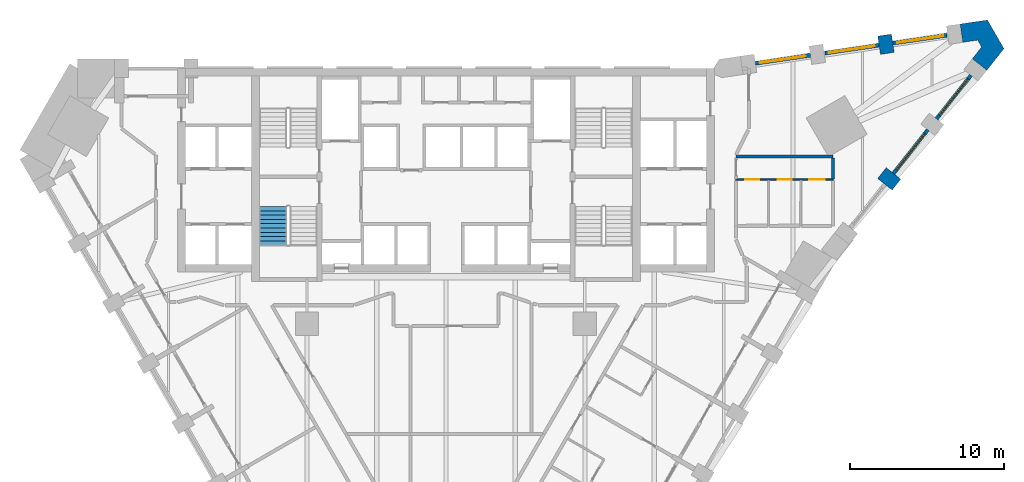
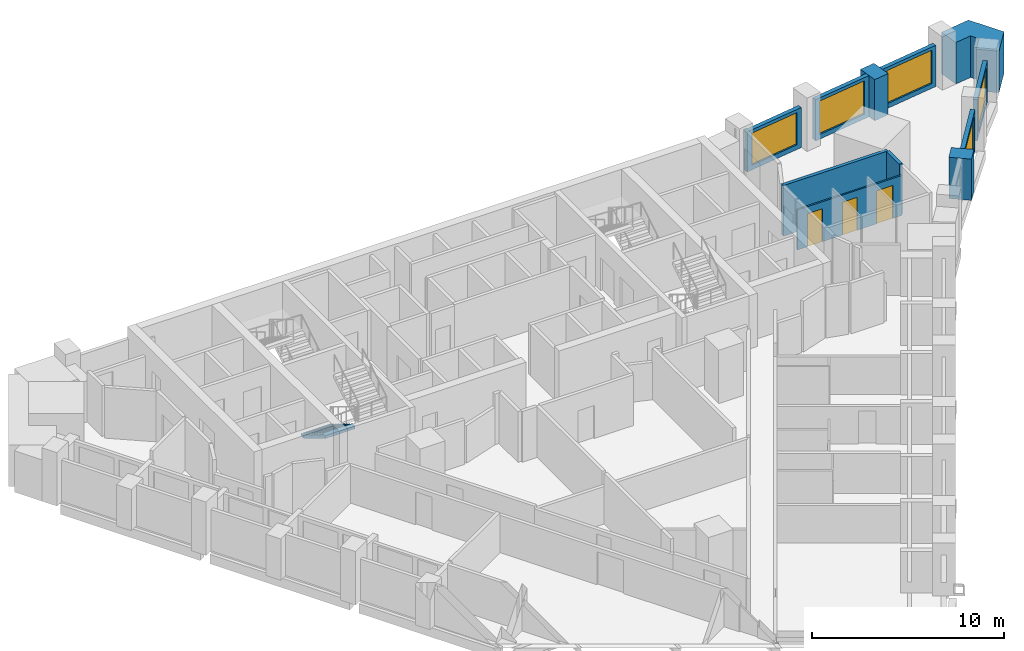
# One storey, part 9 of 11: 11 walls, 5 windows, 3 doors, 1 stair flight, 8 openings, 1 element without a shape of its own.
"""IFC4 building model written with IfcOpenShell, lengths in metres."""

import ifcopenshell
import ifcopenshell.guid

model = None  # the IFC model being written
_history = None  # IfcOwnerHistory: only IFC2X3 demands one
_inside = {}  # id of a spatial element -> (the spatial element, [elements in it])
_under = {}  # id of a project, library or spatial element -> (it, [spatial elements below it])
_declared = {}  # id of a project -> (the project, [libraries it declares])
_typed = {}  # id of a type object -> (the type object, [elements of that type])
_made_of = {}  # id of a material, layer set ... -> (it, [elements and type objects made of it])


def new_model(schema):
    """Start an empty IFC model of exactly this schema.

    Asked for "IFC4X3", IfcOpenShell would pick the latest addendum, in which some entities
    have other attributes; the version numbers below select the first issue.
    IFC2X3 requires an IfcOwnerHistory on every rooted entity: one is made here for all.
    """
    global model, _history
    if schema == "IFC4X3":
        model = ifcopenshell.file(schema_version=(4, 3, 0, 0))
    else:
        model = ifcopenshell.file(schema=schema)
    _inside.clear()
    _under.clear()
    _declared.clear()
    _typed.clear()
    _made_of.clear()
    _history = None
    if model.schema == "IFC2X3":
        org = make("IfcOrganization", Name="unknown")
        user = make(
            "IfcPersonAndOrganization",
            ThePerson=make("IfcPerson", FamilyName="unknown"),
            TheOrganization=org,
        )
        app = make(
            "IfcApplication",
            ApplicationDeveloper=org,
            Version="unknown",
            ApplicationFullName="unknown",
            ApplicationIdentifier="unknown",
        )
        _history = make(
            "IfcOwnerHistory",
            OwningUser=user,
            OwningApplication=app,
            ChangeAction="ADDED",
            CreationDate=0,
        )
    return model


def make(cls, **values):
    """One entity of the class cls with the attributes given. An attribute that is None is left unset."""
    return model.create_entity(
        cls, **{name: value for name, value in values.items() if value is not None}
    )


def rooted(cls, **values):
    """An entity with a GlobalId (a new one), such as an element, a storey or a relation."""
    return make(cls, GlobalId=ifcopenshell.guid.new(), OwnerHistory=_history, **values)


def si_unit(unit_type, name, prefix=None):
    """IfcSIUnit, for example si_unit("LENGTHUNIT", "METRE", prefix="MILLI")."""
    return make("IfcSIUnit", UnitType=unit_type, Prefix=prefix, Name=name)


def assignment(units):
    """IfcUnitAssignment: the units of a project."""
    return None if units is None else make("IfcUnitAssignment", Units=units)


def point(xyz):
    """IfcCartesianPoint."""
    return None if xyz is None else make("IfcCartesianPoint", Coordinates=xyz)


def direction(xyz):
    """IfcDirection."""
    return None if xyz is None else make("IfcDirection", DirectionRatios=xyz)


def frame(location, z_axis=None, x_axis=None):
    """IfcAxis2Placement3D, a coordinate frame: its origin and axes. An axis left out is left unset."""
    return make(
        "IfcAxis2Placement3D",
        Location=point(location),
        Axis=direction(z_axis),
        RefDirection=direction(x_axis),
    )


def frame_2d(location, x_axis=None):
    """IfcAxis2Placement2D, a coordinate frame in the plane: its origin and x axis."""
    return make(
        "IfcAxis2Placement2D", Location=point(location), RefDirection=direction(x_axis)
    )


def origin():
    """The frame at (0, 0, 0) with its axes left unset."""
    return frame((0.0, 0.0, 0.0))


def place(relative_to, where):
    """IfcLocalPlacement: puts the frame where relative to a parent placement (None: the world)."""
    return make(
        "IfcLocalPlacement", PlacementRelTo=relative_to, RelativePlacement=where
    )


def context(
    kind, dimensions, precision=None, world=None, true_north=None, identifier=None
):
    """IfcGeometricRepresentationContext, for example the 3D "Model" context."""
    return make(
        "IfcGeometricRepresentationContext",
        ContextIdentifier=identifier,
        ContextType=kind,
        CoordinateSpaceDimension=dimensions,
        Precision=precision,
        WorldCoordinateSystem=world,
        TrueNorth=true_north,
    )


def subcontext(parent, identifier, kind, view, scale=None):
    """IfcGeometricRepresentationSubContext, for example "Body" below "Model"."""
    return make(
        "IfcGeometricRepresentationSubContext",
        ContextIdentifier=identifier,
        ContextType=kind,
        ParentContext=parent,
        TargetScale=scale,
        TargetView=view,
    )


def project(units=None, contexts=None):
    """IfcProject with its units and contexts."""
    return rooted(
        "IfcProject",
        Name="project",
        RepresentationContexts=contexts,
        UnitsInContext=assignment(units),
    )


def spatial(cls, under=None, at=None, **own):
    """A site, building, storey or space (cls), placed at a placement, below another one or the project."""
    s = rooted(cls, ObjectPlacement=at, **own)
    if under is not None:
        _under.setdefault(under.id(), (under, []))[1].append(s)
    return s


def polyline(points):
    """IfcPolyline through the points."""
    return make("IfcPolyline", Points=[point(p) for p in points])


def profile(cls, at=None, kind="AREA", **sizes):
    """A parametric profile (cls). Its sizes go by their IFC names, for example OverallWidth=200.0."""
    return make(cls, ProfileType=kind, Position=at, **sizes)


def rectangle(**sizes):
    """IfcRectangleProfileDef."""
    return profile("IfcRectangleProfileDef", **sizes)


def outline(outer, holes=None, kind="AREA"):
    """IfcArbitraryClosedProfileDef: a profile drawn as a closed curve; with holes, ...WithVoids."""
    if holes is None:
        return make("IfcArbitraryClosedProfileDef", ProfileType=kind, OuterCurve=outer)
    return make(
        "IfcArbitraryProfileDefWithVoids",
        ProfileType=kind,
        OuterCurve=outer,
        InnerCurves=holes,
    )


def extrude(swept, where, along, depth):
    """IfcExtrudedAreaSolid: the profile swept, set in the frame where, extruded along a direction by depth."""
    return make(
        "IfcExtrudedAreaSolid",
        SweptArea=swept,
        Position=where,
        ExtrudedDirection=direction(along),
        Depth=depth,
    )


def faces_of(points, faces, orient=None, outer=None):
    """IfcFace entities. A face is a list of loops; a loop is a list of indices into points, from 0.

    orient and outer hold one flag for each loop. By default every Orientation is true, the
    first loop of a face is its IfcFaceOuterBound and the others are IfcFaceBound.
    """
    made = []
    for i, loops in enumerate(faces):
        bounds = []
        for j, loop in enumerate(loops):
            is_outer = j == 0 if outer is None else outer[i][j]
            bounds.append(
                make(
                    "IfcFaceOuterBound" if is_outer else "IfcFaceBound",
                    Bound=make("IfcPolyLoop", Polygon=[points[k] for k in loop]),
                    Orientation=True if orient is None else orient[i][j],
                )
            )
        made.append(make("IfcFace", Bounds=bounds))
    return made


def faceted_brep(points, faces, orient=None, outer=None, voids=None):
    """IfcFacetedBrep: a solid bounded by flat faces; with voids (closed shells), ...WithVoids."""
    shared = [point(p) for p in points]
    hull = make("IfcClosedShell", CfsFaces=faces_of(shared, faces, orient, outer))
    if voids is None:
        return make("IfcFacetedBrep", Outer=hull)
    return make(
        "IfcFacetedBrepWithVoids",
        Outer=hull,
        Voids=[
            make(cls, CfsFaces=faces_of(shared, fs, o, b)) for cls, fs, o, b in voids
        ],
    )


def shape(context_of_items, identifier, shape_type, items):
    """IfcShapeRepresentation: the items that make up one representation, for example the "Body"."""
    return make(
        "IfcShapeRepresentation",
        ContextOfItems=context_of_items,
        RepresentationIdentifier=identifier,
        RepresentationType=shape_type,
        Items=items,
    )


def source(mapping_origin, context_of_items, identifier, shape_type, items):
    """IfcRepresentationMap: a shape defined once, which mapped items show again and again."""
    return make(
        "IfcRepresentationMap",
        MappingOrigin=mapping_origin,
        MappedRepresentation=shape(context_of_items, identifier, shape_type, items),
    )


def transform(
    local_origin,
    x_axis=None,
    y_axis=None,
    z_axis=None,
    scale=None,
    scale2=None,
    scale3=None,
    uniform=True,
):
    """IfcCartesianTransformationOperator3D, or its non-uniform kind. x_axis, y_axis, z_axis: its Axis1, 2, 3."""
    if uniform:
        return make(
            "IfcCartesianTransformationOperator3D",
            Axis1=direction(x_axis),
            Axis2=direction(y_axis),
            LocalOrigin=point(local_origin),
            Scale=scale,
            Axis3=direction(z_axis),
        )
    return make(
        "IfcCartesianTransformationOperator3DnonUniform",
        Axis1=direction(x_axis),
        Axis2=direction(y_axis),
        LocalOrigin=point(local_origin),
        Scale=scale,
        Axis3=direction(z_axis),
        Scale2=scale2,
        Scale3=scale3,
    )


def mapped(mapping_source, mapping_target):
    """IfcMappedItem: shows the shape of a source again, moved by a transform."""
    return make(
        "IfcMappedItem", MappingSource=mapping_source, MappingTarget=mapping_target
    )


def material(Name=None, Category=None):
    """IfcMaterial."""
    return make("IfcMaterial", Name=Name, Category=Category)


def layer(
    of_material, thickness, ventilated=None, Name=None, Category=None, Priority=None
):
    """IfcMaterialLayer: one layer of a wall or slab, of a material (None: an air gap)."""
    return make(
        "IfcMaterialLayer",
        Material=of_material,
        LayerThickness=thickness,
        IsVentilated=ventilated,
        Name=Name,
        Category=Category,
        Priority=Priority,
    )


def layer_set(layers, Name=None):
    """IfcMaterialLayerSet."""
    return make("IfcMaterialLayerSet", MaterialLayers=layers, LayerSetName=Name)


def made_of(thing, what):
    """Note that an element or type object is made of a material, layer set ...; save() writes the relation."""
    if what is not None:
        _made_of.setdefault(what.id(), (what, []))[1].append(thing)
    return thing


def type_object(cls, material=None, **own):
    """A type object (cls), such as IfcWallType, which elements share."""
    return made_of(rooted(cls, **own), material)


def element(
    cls,
    number,
    at=None,
    inside=None,
    cuts=None,
    type_object=None,
    material=None,
    context=None,
    identifier="Body",
    shape_type=None,
    held_by="IfcProductDefinitionShape",
    body=None,
    shapes=None,
    **own,
):
    """One element of the class cls, such as IfcWall. Its Tag is "e" and its number.

    at: its placement. inside: the storey or other place that contains it. cuts: it is an
    opening in that element (IfcRelVoidsElement). A single representation is given by context,
    identifier, shape_type and body (its items); several are given by shapes. held_by: the class
    of the entity that holds the representations. save() writes the other relations.
    """
    e = rooted(cls, Tag="e%d" % number, ObjectPlacement=at, **own)
    if body is not None:
        shapes = [shape(context, identifier, shape_type, body)]
    if shapes is not None:
        e.Representation = make(held_by, Representations=shapes)
    if inside is not None:
        _inside.setdefault(inside.id(), (inside, []))[1].append(e)
    if cuts is not None:
        rooted(
            "IfcRelVoidsElement", RelatingBuildingElement=cuts, RelatedOpeningElement=e
        )
    if type_object is not None:
        _typed.setdefault(type_object.id(), (type_object, []))[1].append(e)
    return made_of(e, material)


def fill(opening, filler):
    """IfcRelFillsElement: the door or window that sits in an opening."""
    return rooted(
        "IfcRelFillsElement",
        RelatingOpeningElement=opening,
        RelatedBuildingElement=filler,
    )


def aggregate(whole, parts):
    """IfcRelAggregates: a whole, such as a stair, and the parts it consists of."""
    return rooted("IfcRelAggregates", RelatingObject=whole, RelatedObjects=parts)


def save(model, path):
    """Write the relations noted so far, then the file.

    IfcRelAggregates (storeys below a building ...), IfcRelContainedInSpatialStructure (elements
    in a storey), IfcRelDefinesByType, IfcRelAssociatesMaterial and IfcRelDeclares: one each for
    every whole, place, type object, material and project.
    """
    for whole, parts in _under.values():
        aggregate(whole, parts)
    for where, things in _inside.values():
        rooted(
            "IfcRelContainedInSpatialStructure",
            RelatedElements=things,
            RelatingStructure=where,
        )
    for kind, things in _typed.values():
        rooted("IfcRelDefinesByType", RelatedObjects=things, RelatingType=kind)
    for what, things in _made_of.values():
        rooted("IfcRelAssociatesMaterial", RelatedObjects=things, RelatingMaterial=what)
    for by, libraries in _declared.values():
        rooted("IfcRelDeclares", RelatingContext=by, RelatedDefinitions=libraries)
    model.write(path)


model = new_model("IFC4")

# Units and contexts
model_context = context("Model", 3, precision=1e-05, world=origin(), true_north=direction((0.0, 1.0)))
body_context = subcontext(model_context, "Body", "Model", "MODEL_VIEW")
ifc_project = project(units=[si_unit("LENGTHUNIT", "METRE"), si_unit("AREAUNIT", "SQUARE_METRE"), si_unit("VOLUMEUNIT", "CUBIC_METRE"), si_unit("PLANEANGLEUNIT", "RADIAN"), si_unit("MASSUNIT", "GRAM", prefix="KILO")], contexts=[model_context])

# Site, building, storey
site_placement = place(None, origin())
site = spatial("IfcSite", under=ifc_project, at=site_placement, CompositionType="ELEMENT")
building_placement = place(site_placement, origin())
building = spatial("IfcBuilding", under=site, at=building_placement, Name="Calabash Gate Tower", CompositionType="ELEMENT")
storey_placement = place(building_placement, frame((0.0, 0.0, 112.199951171875)))
storey = spatial("IfcBuildingStorey", under=building, at=storey_placement, Name="L25", CompositionType="ELEMENT", Elevation=112.199951171875)

# Walls
ifc_material_1 = material(Name="Terracotta brick masonry, exposed face", Category="masonry")
ifc_layer_1 = layer(ifc_material_1, 1.199951171875)
ifc_layer_set_1 = layer_set([ifc_layer_1], Name="Brick end wall 1200")
wall_type_1 = type_object("IfcWallType", Name="Brick end wall 1200", PredefinedType="SOLIDWALL", material=ifc_layer_set_1)
for number, where, z_axis, x_axis, name in (
    (1, (29.204833984375, 11.5224609375, 0.0), (0.0, 0.0, 1.0), (-0.784330409431, 0.620343299184, 0.0), "Brick pier S07 wedge3.1"),
    (2, (28.43701171875, 21.217041015625, 0.0), (0.0, 0.0, 1.0), (0.145066385332, -0.989421924078, 0.0), "Brick pier S07 wedge5.1"),
):
    element("IfcWall", number, at=place(storey_placement, frame(where, z_axis=z_axis, x_axis=x_axis)), inside=storey, type_object=wall_type_1, Name=name, PredefinedType="SOLIDWALL", context=body_context, shape_type="SweptSolid", body=[
        extrude(rectangle(XDim=1.199951171875, YDim=0.89990234375, at=frame_2d((0.60009765625, 0.0))), origin(), (0.0, 0.0, 1.0), 2.630126953125),
    ])
wall_1_placement = place(storey_placement, origin())
element("IfcWall", 3, at=wall_1_placement, inside=storey, type_object=wall_type_1, Name="Brick end wall S07 2", PredefinedType="SOLIDWALL", context=body_context, shape_type="SweptSolid", body=[
    extrude(outline(polyline([(35.066650390625, 18.934814453125), (36.176513671875, 20.337890625), (35.104736328125, 22.1943359375), (33.334716796875, 21.934814453125), (33.5087890625, 20.74755859375), (34.472900390625, 20.888916015625), (34.72998046875, 20.443359375), (34.12548828125, 19.67919921875), (35.066650390625, 18.934814453125)])), origin(), (0.0, 0.0, 1.0), 2.650146484375),
])

# Wall, openings, doors
ifc_material_2 = material(Name="Gypsum board on steel studs, mineral wool", Category="steel")
ifc_layer_2 = layer(ifc_material_2, 0.10009765625)
ifc_layer_set_2 = layer_set([ifc_layer_2], Name="Partition 100 gypsum board")
wall_type_2 = type_object("IfcWallType", Name="Partition 100 gypsum board", PredefinedType="PARTITIONING", material=ifc_layer_set_2)
wall_2_placement = place(storey_placement, frame((18.80029296875, 11.850341796875, 0.0), z_axis=(0.0, 0.0, 1.0), x_axis=(1.0, 0.0, 0.0)))
wall_2 = element("IfcWall", 4, at=wall_2_placement, inside=storey, type_object=wall_type_2, Name="Partition", PredefinedType="PARTITIONING", context=body_context, shape_type="SweptSolid", body=[
    extrude(rectangle(XDim=6.2998046875, YDim=0.10009765625, at=frame_2d((3.14990234375, 0.0))), origin(), (0.0, 0.0, 1.0), 2.552001953125),
])
opening_1_placement = place(wall_2_placement, frame((0.599853515625, 0.0, 0.0)))
opening_1 = element("IfcOpeningElement", 5, at=opening_1_placement, cuts=wall_2, Name="Opening 25-27-019", PredefinedType="OPENING", context=body_context, shape_type="SweptSolid", body=[
    extrude(rectangle(XDim=0.89990234375, YDim=2.10009765625, at=frame_2d((0.449951171875, 1.050048828125))), frame((0.0, 0.06005859375, 0.0), z_axis=(0.0, -1.0, 0.0), x_axis=(1.0, 0.0, 0.0)), (0.0, 0.0, 1.0), 0.1201171875),
])
opening_2_placement = place(wall_2_placement, frame((2.699951171875, 0.0, 0.0)))
opening_2 = element("IfcOpeningElement", 6, at=opening_2_placement, cuts=wall_2, Name="Opening 25-27-020", PredefinedType="OPENING", context=body_context, shape_type="SweptSolid", body=[
    extrude(rectangle(XDim=0.89990234375, YDim=2.10009765625, at=frame_2d((0.449951171875, 1.050048828125))), frame((0.0, 0.06005859375, 0.0), z_axis=(0.0, -1.0, 0.0), x_axis=(1.0, 0.0, 0.0)), (0.0, 0.0, 1.0), 0.1201171875),
])
opening_3_placement = place(wall_2_placement, frame((4.75, 0.0, 0.0)))
opening_3 = element("IfcOpeningElement", 7, at=opening_3_placement, cuts=wall_2, Name="Opening 25-27-021", PredefinedType="OPENING", context=body_context, shape_type="SweptSolid", body=[
    extrude(rectangle(XDim=1.0, YDim=2.10009765625, at=frame_2d((0.5, 1.050048828125))), frame((0.0, 0.06005859375, 0.0), z_axis=(0.0, -1.0, 0.0), x_axis=(1.0, 0.0, 0.0)), (0.0, 0.0, 1.0), 0.1201171875),
])
ifc_material_3 = material(Name="Painted timber door", Category="wood")
door_type_1 = type_object("IfcDoorType", Name="WD1 WC door 900x2100", OperationType="NOTDEFINED", PredefinedType="DOOR", material=ifc_material_3)
door_1_placement = place(opening_1_placement, origin())
door_1 = element("IfcDoor", 8, at=door_1_placement, inside=storey, type_object=door_type_1, Name="WC door", OperationType="SINGLE_SWING_RIGHT", OverallHeight=2.10009765625, OverallWidth=0.89990234375, PredefinedType="DOOR", context=body_context, shape_type="SweptSolid", body=[
    extrude(rectangle(XDim=0.89990234375, YDim=2.10009765625, at=frame_2d((0.449951171875, 1.050048828125))), frame((0.0, 0.02490234375, 0.0), z_axis=(0.0, -1.0, 0.0), x_axis=(1.0, 0.0, 0.0)), (0.0, 0.0, 1.0), 0.050048828125),
])
fill(opening_1, door_1)
door_2_placement = place(opening_2_placement, origin())
door_2 = element("IfcDoor", 9, at=door_2_placement, inside=storey, type_object=door_type_1, Name="WC door", OperationType="SINGLE_SWING_RIGHT", OverallHeight=2.10009765625, OverallWidth=0.89990234375, PredefinedType="DOOR", context=body_context, shape_type="SweptSolid", body=[
    extrude(rectangle(XDim=0.89990234375, YDim=2.10009765625, at=frame_2d((0.449951171875, 1.050048828125))), frame((0.0, 0.02490234375, 0.0), z_axis=(0.0, -1.0, 0.0), x_axis=(1.0, 0.0, 0.0)), (0.0, 0.0, 1.0), 0.050048828125),
])
fill(opening_2, door_2)
ifc_material_4 = material(Name="Painted timber door", Category="wood")
door_type_2 = type_object("IfcDoorType", Name="WD2 Accessible WC door 1000x2100", OperationType="NOTDEFINED", PredefinedType="DOOR", material=ifc_material_4)
door_3_placement = place(opening_3_placement, origin())
door_3 = element("IfcDoor", 10, at=door_3_placement, inside=storey, type_object=door_type_2, Name="Accessible WC door", OperationType="SINGLE_SWING_LEFT", OverallHeight=2.10009765625, OverallWidth=1.0, PredefinedType="DOOR", context=body_context, shape_type="SweptSolid", body=[
    extrude(rectangle(XDim=1.0, YDim=2.10009765625, at=frame_2d((0.5, 1.050048828125))), frame((0.0, 0.02490234375, 0.0), z_axis=(0.0, -1.0, 0.0), x_axis=(1.0, 0.0, 0.0)), (0.0, 0.0, 1.0), 0.050048828125),
])
fill(opening_3, door_3)

# Walls
ifc_material_5 = material(Name="Gypsum board on steel studs, mineral wool", Category="steel")
ifc_layer_3 = layer(ifc_material_5, 0.199951171875)
ifc_layer_set_3 = layer_set([ifc_layer_3], Name="Partition 200 gypsum board EI 60")
wall_type_3 = type_object("IfcWallType", Name="Partition 200 gypsum board EI 60", PredefinedType="PARTITIONING", material=ifc_layer_set_3)
wall_3_placement = place(storey_placement, frame((25.098388671875, 11.90234375, 0.0), z_axis=(0.0, 0.0, 1.0), x_axis=(0.001085186556, 0.999999411185, 0.0)))
element("IfcWall", 11, at=wall_3_placement, inside=storey, type_object=wall_type_3, Name="Partition", PredefinedType="PARTITIONING", context=body_context, shape_type="SweptSolid", body=[
    extrude(rectangle(XDim=1.349853515625, YDim=0.199951171875, at=frame_2d((0.6748046875, 0.0))), origin(), (0.0, 0.0, 1.0), 3.22998046875),
])
wall_4_placement = place(storey_placement, frame((18.802001953125, 13.3505859375, 0.0), z_axis=(0.0, 0.0, 1.0), x_axis=(0.999999963185, 0.000271349372, 0.0)))
element("IfcWall", 12, at=wall_4_placement, inside=storey, type_object=wall_type_3, Name="Partition", PredefinedType="PARTITIONING", context=body_context, shape_type="SweptSolid", body=[
    extrude(rectangle(XDim=6.298095703125, YDim=0.199951171875, at=frame_2d((3.14892578125, 0.0))), origin(), (0.0, 0.0, 1.0), 3.22998046875),
])

# Wall, opening, window
ifc_material_6 = material(Name="Aluminium framed window wall with insulated spandrel", Category="aluminium")
ifc_layer_4 = layer(ifc_material_6, 0.25)
ifc_layer_set_4 = layer_set([ifc_layer_4], Name="Prow window wall 250")
wall_type_4 = type_object("IfcWallType", Name="Prow window wall 250", PredefinedType="ELEMENTEDWALL", material=ifc_layer_set_4)
wall_5_placement = place(storey_placement, frame((29.013427734375, 12.24755859375, 0.0), z_axis=(0.0, 0.0, 1.0), x_axis=(0.620310302622, 0.784356505972, 0.0)))
wall_5 = element("IfcWall", 13, at=wall_5_placement, inside=storey, type_object=wall_type_4, Name="Prow window wall S07 wedge3.2", PredefinedType="ELEMENTEDWALL", context=body_context, shape_type="SweptSolid", body=[
    extrude(rectangle(XDim=3.60009765625, YDim=0.25, at=frame_2d((1.800048828125, 0.0))), origin(), (0.0, 0.0, 1.0), 2.630126953125),
])
opening_4_placement = place(wall_5_placement, frame((0.300048828125, 0.0, 0.300048828125)))
opening_4 = element("IfcOpeningElement", 14, at=opening_4_placement, cuts=wall_5, Name="Opening WP1L-2130", PredefinedType="OPENING", context=body_context, shape_type="SweptSolid", body=[
    extrude(rectangle(XDim=3.0, YDim=2.1298828125, at=frame_2d((1.5, 1.06494140625))), frame((0.0, 0.135009765625, 0.0), z_axis=(0.0, -1.0, 0.0), x_axis=(1.0, 0.0, 0.0)), (0.0, 0.0, 1.0), 0.27001953125),
])
ifc_material_7 = material(Name="Anodised aluminium frame, bronze finish, impact-rated laminated clear glazing", Category="aluminium")
window_type_1 = type_object("IfcWindowType", Name="Window WP1L 3000x2130", PartitioningType="DOUBLE_PANEL_VERTICAL", PredefinedType="WINDOW", material=ifc_material_7)
window_1_placement = place(opening_4_placement, origin())
window_1 = element("IfcWindow", 15, at=window_1_placement, inside=storey, type_object=window_type_1, Name="Prow window WP1L S07 wedge3.2", OverallHeight=2.1298828125, OverallWidth=3.0, PartitioningType="SINGLE_PANEL", PredefinedType="WINDOW", context=body_context, shape_type="SweptSolid", body=[
    extrude(rectangle(XDim=3.0, YDim=2.1298828125, at=frame_2d((1.5, 1.06494140625))), frame((0.0, 0.030029296875, 0.0), z_axis=(0.0, -1.0, 0.0), x_axis=(1.0, 0.0, 0.0)), (0.0, 0.0, 1.0), 0.06005859375),
])
fill(opening_4, window_1)

wall_6_placement = place(storey_placement, frame((31.804931640625, 15.77734375, 0.0), z_axis=(0.0, 0.0, 1.0), x_axis=(0.620301575857, 0.784363407477, 0.0)))
wall_6 = element("IfcWall", 16, at=wall_6_placement, inside=storey, type_object=wall_type_4, Name="Prow window wall S07 wedge3.3", PredefinedType="ELEMENTEDWALL", context=body_context, shape_type="SweptSolid", body=[
    extrude(rectangle(XDim=3.599609375, YDim=0.25, at=frame_2d((1.7998046875, 0.0))), origin(), (0.0, 0.0, 1.0), 2.630126953125),
])
opening_5_placement = place(wall_6_placement, frame((0.300048828125, 0.0, 0.300048828125)))
opening_5 = element("IfcOpeningElement", 17, at=opening_5_placement, cuts=wall_6, Name="Opening WP1L-2130", PredefinedType="OPENING", context=body_context, shape_type="SweptSolid", body=[
    extrude(rectangle(XDim=3.0, YDim=2.1298828125, at=frame_2d((1.5, 1.06494140625))), frame((0.0, 0.135009765625, 0.0), z_axis=(0.0, -1.0, 0.0), x_axis=(1.0, 0.0, 0.0)), (0.0, 0.0, 1.0), 0.27001953125),
])
window_2_placement = place(opening_5_placement, origin())
window_2 = element("IfcWindow", 18, at=window_2_placement, inside=storey, type_object=window_type_1, Name="Prow window WP1L S07 wedge3.3", OverallHeight=2.1298828125, OverallWidth=3.0, PartitioningType="SINGLE_PANEL", PredefinedType="WINDOW", context=body_context, shape_type="SweptSolid", body=[
    extrude(rectangle(XDim=3.0, YDim=2.1298828125, at=frame_2d((1.5, 1.06494140625))), frame((0.0, 0.030029296875, 0.0), z_axis=(0.0, -1.0, 0.0), x_axis=(1.0, 0.0, 0.0)), (0.0, 0.0, 1.0), 0.06005859375),
])
fill(opening_5, window_2)

wall_7_placement = place(storey_placement, frame((32.481689453125, 21.203369140625, 0.0), z_axis=(0.0, 0.0, 1.0), x_axis=(-0.989427410985, -0.145028957081, 0.0)))
wall_7 = element("IfcWall", 19, at=wall_7_placement, inside=storey, type_object=wall_type_4, Name="Prow window wall S07 wedge5.1", PredefinedType="ELEMENTEDWALL", context=body_context, shape_type="SweptSolid", body=[
    extrude(rectangle(XDim=3.552001953125, YDim=0.25, at=frame_2d((1.77587890625, 0.0))), origin(), (0.0, 0.0, 1.0), 2.630126953125),
])
opening_6_placement = place(wall_7_placement, frame((0.25, 0.0, 0.300048828125)))
opening_6 = element("IfcOpeningElement", 20, at=opening_6_placement, cuts=wall_7, Name="Opening WP1L-2130", PredefinedType="OPENING", context=body_context, shape_type="SweptSolid", body=[
    extrude(rectangle(XDim=3.0, YDim=2.1298828125, at=frame_2d((1.5, 1.06494140625))), frame((0.0, 0.135009765625, 0.0), z_axis=(0.0, -1.0, 0.0), x_axis=(1.0, 0.0, 0.0)), (0.0, 0.0, 1.0), 0.27001953125),
])
window_3_placement = place(opening_6_placement, origin())
window_3 = element("IfcWindow", 21, at=window_3_placement, inside=storey, type_object=window_type_1, Name="Prow window WP1L S07 wedge5.1", OverallHeight=2.1298828125, OverallWidth=3.0, PartitioningType="SINGLE_PANEL", PredefinedType="WINDOW", context=body_context, shape_type="SweptSolid", body=[
    extrude(rectangle(XDim=3.0, YDim=2.1298828125, at=frame_2d((1.5, 1.06494140625))), frame((0.0, 0.030029296875, 0.0), z_axis=(0.0, -1.0, 0.0), x_axis=(1.0, 0.0, 0.0)), (0.0, 0.0, 1.0), 0.06005859375),
])
fill(opening_6, window_3)

wall_8_placement = place(storey_placement, frame((28.080810546875, 20.558349609375, 0.0), z_axis=(0.0, 0.0, 1.0), x_axis=(-0.989427410985, -0.145028957081, 0.0)))
wall_8 = element("IfcWall", 22, at=wall_8_placement, inside=storey, type_object=wall_type_4, Name="Prow window wall S07 wedge5.2", PredefinedType="ELEMENTEDWALL", context=body_context, shape_type="SweptSolid", body=[
    extrude(rectangle(XDim=3.552001953125, YDim=0.25, at=frame_2d((1.77587890625, 0.0))), origin(), (0.0, 0.0, 1.0), 2.630126953125),
])
opening_7_placement = place(wall_8_placement, frame((0.302001953125, 0.0, 0.300048828125)))
opening_7 = element("IfcOpeningElement", 23, at=opening_7_placement, cuts=wall_8, Name="Opening WP1L-2130", PredefinedType="OPENING", context=body_context, shape_type="SweptSolid", body=[
    extrude(rectangle(XDim=3.0, YDim=2.1298828125, at=frame_2d((1.5, 1.06494140625))), frame((0.0, 0.135009765625, 0.0), z_axis=(0.0, -1.0, 0.0), x_axis=(1.0, 0.0, 0.0)), (0.0, 0.0, 1.0), 0.27001953125),
])
window_4_placement = place(opening_7_placement, origin())
window_4 = element("IfcWindow", 24, at=window_4_placement, inside=storey, type_object=window_type_1, Name="Prow window WP1L S07 wedge5.2", OverallHeight=2.1298828125, OverallWidth=3.0, PartitioningType="SINGLE_PANEL", PredefinedType="WINDOW", context=body_context, shape_type="SweptSolid", body=[
    extrude(rectangle(XDim=3.0, YDim=2.1298828125, at=frame_2d((1.5, 1.06494140625))), frame((0.0, 0.030029296875, 0.0), z_axis=(0.0, -1.0, 0.0), x_axis=(1.0, 0.0, 0.0)), (0.0, 0.0, 1.0), 0.06005859375),
])
fill(opening_7, window_4)

wall_9_placement = place(storey_placement, frame((23.626220703125, 19.905517578125, 0.0), z_axis=(0.0, 0.0, 1.0), x_axis=(-0.989431656237, -0.144999991846, 0.0)))
wall_9 = element("IfcWall", 25, at=wall_9_placement, inside=storey, type_object=wall_type_4, Name="Prow window wall S07 wedge5.3", PredefinedType="ELEMENTEDWALL", context=body_context, shape_type="SweptSolid", body=[
    extrude(rectangle(XDim=3.599853515625, YDim=0.25, at=frame_2d((1.7998046875, 0.0))), origin(), (0.0, 0.0, 1.0), 2.552001953125),
])
opening_8_placement = place(wall_9_placement, frame((0.300048828125, 0.0, 0.300048828125)))
opening_8 = element("IfcOpeningElement", 26, at=opening_8_placement, cuts=wall_9, Name="Opening WP1L-2050", PredefinedType="OPENING", context=body_context, shape_type="SweptSolid", body=[
    extrude(rectangle(XDim=3.0, YDim=2.050048828125, at=frame_2d((1.5, 1.02490234375))), frame((0.0, 0.135009765625, 0.0), z_axis=(0.0, -1.0, 0.0), x_axis=(1.0, 0.0, 0.0)), (0.0, 0.0, 1.0), 0.27001953125),
])
ifc_material_8 = material(Name="Anodised aluminium frame, bronze finish, impact-rated laminated clear glazing", Category="aluminium")
window_type_2 = type_object("IfcWindowType", Name="Window WP1L 3000x2050", PartitioningType="DOUBLE_PANEL_VERTICAL", PredefinedType="WINDOW", material=ifc_material_8)
window_5_placement = place(opening_8_placement, origin())
window_5 = element("IfcWindow", 27, at=window_5_placement, inside=storey, type_object=window_type_2, Name="Prow window WP1L S07 wedge5.3", OverallHeight=2.050048828125, OverallWidth=3.0, PartitioningType="SINGLE_PANEL", PredefinedType="WINDOW", context=body_context, shape_type="SweptSolid", body=[
    extrude(rectangle(XDim=3.0, YDim=2.050048828125, at=frame_2d((1.5, 1.02490234375))), frame((0.0, 0.030029296875, 0.0), z_axis=(0.0, -1.0, 0.0), x_axis=(1.0, 0.0, 0.0)), (0.0, 0.0, 1.0), 0.06005859375),
])
fill(opening_8, window_5)

# Stair, stair flight
ifc_material_9 = material(Name="Concrete C40/50", Category="concrete")
stair_type = type_object("IfcStairType", Name="Exit stair 20 risers of 170 mm", PredefinedType="HALF_TURN_STAIR", material=ifc_material_9)
stair_placement = place(storey_placement, origin())
stair = element("IfcStair", 28, at=stair_placement, inside=storey, type_object=stair_type, Name="L25 Exit stair ST2", PredefinedType="HALF_TURN_STAIR")
ifc_material_10 = material(Name="Concrete C40/50", Category="concrete")
stair_flight_type = type_object("IfcStairFlightType", Name="Exit stair flight SFL", PredefinedType="STRAIGHT", material=ifc_material_10)
shared_shape = source(origin(), body_context, "Body", "Brep", [
    faceted_brep([(-0.0009765625, -0.89990234375, 0.0), (0.2880859375, -0.89990234375, 0.0), (2.511962890625, -0.89990234375, 1.3544921875), (-0.0009765625, 0.89990234375, 0.0), (2.511962890625, 0.89990234375, 1.3544921875), (0.2880859375, 0.89990234375, 0.0), (2.511962890625, -0.89990234375, 1.5419921875), (2.510986328125, -0.89990234375, 1.5419921875), (2.510986328125, 0.89990234375, 1.5419921875), (2.511962890625, 0.89990234375, 1.5419921875), (2.510986328125, -0.89990234375, 1.530029296875), (2.510986328125, 0.89990234375, 1.530029296875), (2.23193359375, -0.89990234375, 1.530029296875), (2.23193359375, 0.89990234375, 1.530029296875), (2.23193359375, -0.89990234375, 1.360107421875), (2.23193359375, 0.89990234375, 1.360107421875), (1.952880859375, -0.89990234375, 1.360107421875), (1.952880859375, 0.89990234375, 1.360107421875), (1.952880859375, -0.89990234375, 1.18994140625), (1.952880859375, 0.89990234375, 1.18994140625), (1.674072265625, -0.89990234375, 1.18994140625), (1.674072265625, -0.89990234375, 1.02001953125), (1.674072265625, 0.89990234375, 1.02001953125), (1.674072265625, 0.89990234375, 1.18994140625), (1.39501953125, -0.89990234375, 1.02001953125), (1.39501953125, -0.89990234375, 0.85009765625), (1.39501953125, 0.89990234375, 0.85009765625), (1.39501953125, 0.89990234375, 1.02001953125), (1.115966796875, -0.89990234375, 0.85009765625), (1.115966796875, -0.89990234375, 0.679931640625), (1.115966796875, 0.89990234375, 0.679931640625), (1.115966796875, 0.89990234375, 0.85009765625), (0.8369140625, -0.89990234375, 0.679931640625), (0.8369140625, -0.89990234375, 0.510009765625), (0.8369140625, 0.89990234375, 0.510009765625), (0.8369140625, 0.89990234375, 0.679931640625), (0.55810546875, -0.89990234375, 0.510009765625), (0.55810546875, -0.89990234375, 0.340087890625), (0.55810546875, 0.89990234375, 0.340087890625), (0.55810546875, 0.89990234375, 0.510009765625), (0.279052734375, -0.89990234375, 0.340087890625), (0.279052734375, -0.89990234375, 0.169921875), (0.279052734375, 0.89990234375, 0.169921875), (0.279052734375, 0.89990234375, 0.340087890625), (-0.0009765625, -0.89990234375, 0.169921875), (-0.0009765625, 0.89990234375, 0.169921875), (0.2880859375, -0.360107421875, 0.0), (2.511962890625, -0.360107421875, 1.3544921875), (0.2880859375, -0.179931640625, 0.0), (2.511962890625, -0.179931640625, 1.3544921875), (0.2880859375, 0.0, 0.0), (2.511962890625, 0.0, 1.3544921875), (0.2880859375, 0.179931640625, 0.0), (2.511962890625, 0.179931640625, 1.3544921875), (0.2880859375, 0.360107421875, 0.0), (2.511962890625, 0.360107421875, 1.3544921875), (2.511962890625, -0.360107421875, 1.5419921875), (2.511962890625, -0.179931640625, 1.5419921875), (2.511962890625, 0.0, 1.5419921875), (2.511962890625, 0.179931640625, 1.5419921875), (2.511962890625, 0.360107421875, 1.5419921875), (2.510986328125, -0.360107421875, 1.5419921875), (2.510986328125, -0.179931640625, 1.5419921875), (2.510986328125, 0.0, 1.5419921875), (2.510986328125, 0.179931640625, 1.5419921875), (2.510986328125, 0.360107421875, 1.5419921875), (2.510986328125, -0.360107421875, 1.530029296875), (2.510986328125, -0.179931640625, 1.530029296875), (2.510986328125, 0.0, 1.530029296875), (2.510986328125, 0.179931640625, 1.530029296875), (2.510986328125, 0.360107421875, 1.530029296875), (2.23193359375, -0.360107421875, 1.530029296875), (2.23193359375, -0.179931640625, 1.530029296875), (2.23193359375, 0.0, 1.530029296875), (2.23193359375, 0.179931640625, 1.530029296875), (2.23193359375, 0.360107421875, 1.530029296875), (2.23193359375, -0.360107421875, 1.360107421875), (2.23193359375, -0.179931640625, 1.360107421875), (2.23193359375, 0.0, 1.360107421875), (2.23193359375, 0.179931640625, 1.360107421875), (2.23193359375, 0.360107421875, 1.360107421875), (1.952880859375, -0.360107421875, 1.360107421875), (1.952880859375, -0.179931640625, 1.360107421875), (1.952880859375, 0.0, 1.360107421875), (1.952880859375, 0.179931640625, 1.360107421875), (1.952880859375, 0.360107421875, 1.360107421875), (1.952880859375, -0.360107421875, 1.18994140625), (1.952880859375, -0.179931640625, 1.18994140625), (1.952880859375, 0.0, 1.18994140625), (1.952880859375, 0.179931640625, 1.18994140625), (1.952880859375, 0.360107421875, 1.18994140625), (1.674072265625, -0.360107421875, 1.18994140625), (1.674072265625, -0.179931640625, 1.18994140625), (1.674072265625, 0.0, 1.18994140625), (1.674072265625, 0.179931640625, 1.18994140625), (1.674072265625, 0.360107421875, 1.18994140625), (1.674072265625, -0.360107421875, 1.02001953125), (1.674072265625, -0.179931640625, 1.02001953125), (1.674072265625, 0.0, 1.02001953125), (1.674072265625, 0.179931640625, 1.02001953125), (1.674072265625, 0.360107421875, 1.02001953125), (1.39501953125, -0.360107421875, 1.02001953125), (1.39501953125, -0.179931640625, 1.02001953125), (1.39501953125, 0.0, 1.02001953125), (1.39501953125, 0.179931640625, 1.02001953125), (1.39501953125, 0.360107421875, 1.02001953125), (1.39501953125, -0.360107421875, 0.85009765625), (1.39501953125, -0.179931640625, 0.85009765625), (1.39501953125, 0.0, 0.85009765625), (1.39501953125, 0.179931640625, 0.85009765625), (1.39501953125, 0.360107421875, 0.85009765625), (1.115966796875, -0.360107421875, 0.85009765625), (1.115966796875, -0.179931640625, 0.85009765625), (1.115966796875, 0.0, 0.85009765625), (1.115966796875, 0.179931640625, 0.85009765625), (1.115966796875, 0.360107421875, 0.85009765625), (1.115966796875, -0.360107421875, 0.679931640625), (1.115966796875, -0.179931640625, 0.679931640625), (1.115966796875, 0.0, 0.679931640625), (1.115966796875, 0.179931640625, 0.679931640625), (1.115966796875, 0.360107421875, 0.679931640625), (0.8369140625, -0.360107421875, 0.679931640625), (0.8369140625, -0.179931640625, 0.679931640625), (0.8369140625, 0.0, 0.679931640625), (0.8369140625, 0.179931640625, 0.679931640625), (0.8369140625, 0.360107421875, 0.679931640625), (0.8369140625, -0.360107421875, 0.510009765625), (0.8369140625, -0.179931640625, 0.510009765625), (0.8369140625, 0.0, 0.510009765625), (0.8369140625, 0.179931640625, 0.510009765625), (0.8369140625, 0.360107421875, 0.510009765625), (0.55810546875, -0.360107421875, 0.510009765625), (0.55810546875, -0.179931640625, 0.510009765625), (0.55810546875, 0.0, 0.510009765625), (0.55810546875, 0.179931640625, 0.510009765625), (0.55810546875, 0.360107421875, 0.510009765625), (0.55810546875, -0.360107421875, 0.340087890625), (0.55810546875, -0.179931640625, 0.340087890625), (0.55810546875, 0.0, 0.340087890625), (0.55810546875, 0.179931640625, 0.340087890625), (0.55810546875, 0.360107421875, 0.340087890625), (0.279052734375, -0.360107421875, 0.340087890625), (0.279052734375, -0.179931640625, 0.340087890625), (0.279052734375, 0.0, 0.340087890625), (0.279052734375, 0.179931640625, 0.340087890625), (0.279052734375, 0.360107421875, 0.340087890625), (0.279052734375, -0.360107421875, 0.169921875), (0.279052734375, -0.179931640625, 0.169921875), (0.279052734375, 0.0, 0.169921875), (0.279052734375, 0.179931640625, 0.169921875), (0.279052734375, 0.360107421875, 0.169921875), (-0.0009765625, -0.360107421875, 0.169921875), (-0.0009765625, -0.179931640625, 0.169921875), (-0.0009765625, 0.0, 0.169921875), (-0.0009765625, 0.179931640625, 0.169921875), (-0.0009765625, 0.360107421875, 0.169921875), (-0.0009765625, -0.360107421875, 0.0), (-0.0009765625, -0.179931640625, 0.0), (-0.0009765625, 0.0, 0.0), (-0.0009765625, 0.179931640625, 0.0), (-0.0009765625, 0.360107421875, 0.0)], [[[0, 1, 2]], [[3, 4, 5]], [[2, 6, 7]], [[4, 8, 9]], [[2, 7, 10]], [[4, 11, 8]], [[2, 10, 12]], [[4, 13, 11]], [[2, 12, 14]], [[4, 15, 13]], [[2, 14, 16]], [[4, 17, 15]], [[2, 16, 18]], [[4, 19, 17]], [[18, 20, 21]], [[19, 22, 23]], [[2, 18, 21]], [[4, 22, 19]], [[21, 24, 25]], [[22, 26, 27]], [[2, 21, 25]], [[4, 26, 22]], [[25, 28, 29]], [[26, 30, 31]], [[2, 25, 29]], [[4, 30, 26]], [[29, 32, 33]], [[30, 34, 35]], [[2, 29, 33]], [[4, 34, 30]], [[33, 36, 37]], [[34, 38, 39]], [[2, 33, 37]], [[4, 38, 34]], [[37, 40, 41]], [[38, 42, 43]], [[2, 37, 41]], [[4, 42, 38]], [[0, 2, 41]], [[3, 42, 4]], [[41, 44, 0]], [[42, 3, 45]], [[1, 46, 2]], [[46, 47, 2]], [[46, 48, 47]], [[48, 49, 47]], [[48, 50, 49]], [[50, 51, 49]], [[50, 52, 53]], [[50, 53, 51]], [[52, 54, 55]], [[52, 55, 53]], [[54, 5, 4]], [[54, 4, 55]], [[2, 47, 6]], [[47, 56, 6]], [[47, 49, 56]], [[49, 57, 56]], [[49, 51, 57]], [[51, 58, 57]], [[51, 53, 59]], [[51, 59, 58]], [[53, 55, 60]], [[53, 60, 59]], [[55, 4, 9]], [[55, 9, 60]], [[6, 56, 7]], [[56, 61, 7]], [[56, 57, 61]], [[57, 62, 61]], [[57, 58, 62]], [[58, 63, 62]], [[58, 59, 64]], [[58, 64, 63]], [[59, 60, 65]], [[59, 65, 64]], [[60, 9, 8]], [[60, 8, 65]], [[7, 61, 10]], [[61, 66, 10]], [[61, 62, 66]], [[62, 67, 66]], [[62, 63, 67]], [[63, 68, 67]], [[63, 64, 69]], [[63, 69, 68]], [[64, 65, 70]], [[64, 70, 69]], [[65, 8, 11]], [[65, 11, 70]], [[10, 66, 12]], [[66, 71, 12]], [[66, 67, 71]], [[67, 72, 71]], [[67, 68, 72]], [[68, 73, 72]], [[68, 69, 74]], [[68, 74, 73]], [[69, 70, 75]], [[69, 75, 74]], [[70, 11, 13]], [[70, 13, 75]], [[12, 71, 14]], [[71, 76, 14]], [[71, 72, 76]], [[72, 77, 76]], [[72, 73, 77]], [[73, 78, 77]], [[73, 74, 79]], [[73, 79, 78]], [[74, 75, 80]], [[74, 80, 79]], [[75, 13, 15]], [[75, 15, 80]], [[14, 76, 16]], [[76, 81, 16]], [[76, 77, 81]], [[77, 82, 81]], [[77, 78, 82]], [[78, 83, 82]], [[78, 79, 84]], [[78, 84, 83]], [[79, 80, 85]], [[79, 85, 84]], [[80, 15, 17]], [[80, 17, 85]], [[16, 81, 18]], [[81, 86, 18]], [[81, 82, 86]], [[82, 87, 86]], [[82, 83, 87]], [[83, 88, 87]], [[83, 84, 89]], [[83, 89, 88]], [[84, 85, 90]], [[84, 90, 89]], [[85, 17, 19]], [[85, 19, 90]], [[18, 86, 20]], [[86, 91, 20]], [[86, 87, 91]], [[87, 92, 91]], [[87, 88, 92]], [[88, 93, 92]], [[88, 89, 94]], [[88, 94, 93]], [[89, 90, 95]], [[89, 95, 94]], [[90, 19, 23]], [[90, 23, 95]], [[20, 91, 21]], [[91, 96, 21]], [[91, 92, 96]], [[92, 97, 96]], [[92, 93, 97]], [[93, 98, 97]], [[93, 94, 99]], [[93, 99, 98]], [[94, 95, 100]], [[94, 100, 99]], [[95, 23, 22]], [[95, 22, 100]], [[21, 96, 24]], [[96, 101, 24]], [[96, 97, 101]], [[97, 102, 101]], [[97, 98, 102]], [[98, 103, 102]], [[98, 99, 104]], [[98, 104, 103]], [[99, 100, 105]], [[99, 105, 104]], [[100, 22, 27]], [[100, 27, 105]], [[24, 101, 25]], [[101, 106, 25]], [[101, 102, 106]], [[102, 107, 106]], [[102, 103, 107]], [[103, 108, 107]], [[103, 104, 109]], [[103, 109, 108]], [[104, 105, 110]], [[104, 110, 109]], [[105, 27, 26]], [[105, 26, 110]], [[25, 106, 28]], [[106, 111, 28]], [[106, 107, 111]], [[107, 112, 111]], [[107, 108, 112]], [[108, 113, 112]], [[108, 109, 114]], [[108, 114, 113]], [[109, 110, 115]], [[109, 115, 114]], [[110, 26, 31]], [[110, 31, 115]], [[28, 111, 29]], [[111, 116, 29]], [[111, 112, 116]], [[112, 117, 116]], [[112, 113, 117]], [[113, 118, 117]], [[113, 114, 119]], [[113, 119, 118]], [[114, 115, 120]], [[114, 120, 119]], [[115, 31, 30]], [[115, 30, 120]], [[29, 116, 32]], [[116, 121, 32]], [[116, 117, 121]], [[117, 122, 121]], [[117, 118, 122]], [[118, 123, 122]], [[118, 119, 124]], [[118, 124, 123]], [[119, 120, 125]], [[119, 125, 124]], [[120, 30, 35]], [[120, 35, 125]], [[32, 121, 33]], [[121, 126, 33]], [[121, 122, 126]], [[122, 127, 126]], [[122, 123, 127]], [[123, 128, 127]], [[123, 124, 129]], [[123, 129, 128]], [[124, 125, 130]], [[124, 130, 129]], [[125, 35, 34]], [[125, 34, 130]], [[33, 126, 36]], [[126, 131, 36]], [[126, 127, 131]], [[127, 132, 131]], [[127, 128, 132]], [[128, 133, 132]], [[128, 129, 134]], [[128, 134, 133]], [[129, 130, 135]], [[129, 135, 134]], [[130, 34, 39]], [[130, 39, 135]], [[36, 131, 37]], [[131, 136, 37]], [[131, 132, 136]], [[132, 137, 136]], [[132, 133, 137]], [[133, 138, 137]], [[133, 134, 139]], [[133, 139, 138]], [[134, 135, 140]], [[134, 140, 139]], [[135, 39, 38]], [[135, 38, 140]], [[37, 136, 40]], [[136, 141, 40]], [[136, 137, 141]], [[137, 142, 141]], [[137, 138, 142]], [[138, 143, 142]], [[138, 139, 144]], [[138, 144, 143]], [[139, 140, 145]], [[139, 145, 144]], [[140, 38, 43]], [[140, 43, 145]], [[40, 141, 41]], [[141, 146, 41]], [[141, 142, 146]], [[142, 147, 146]], [[142, 143, 147]], [[143, 148, 147]], [[143, 144, 149]], [[143, 149, 148]], [[144, 145, 150]], [[144, 150, 149]], [[145, 43, 42]], [[145, 42, 150]], [[41, 146, 44]], [[146, 151, 44]], [[146, 147, 151]], [[147, 152, 151]], [[147, 148, 152]], [[148, 153, 152]], [[148, 149, 154]], [[148, 154, 153]], [[149, 150, 155]], [[149, 155, 154]], [[150, 42, 45]], [[150, 45, 155]], [[44, 151, 0]], [[151, 156, 0]], [[151, 152, 156]], [[152, 157, 156]], [[152, 153, 157]], [[153, 158, 157]], [[153, 154, 159]], [[153, 159, 158]], [[154, 155, 160]], [[154, 160, 159]], [[155, 45, 3]], [[155, 3, 160]], [[0, 156, 1]], [[156, 46, 1]], [[156, 157, 46]], [[157, 48, 46]], [[157, 158, 48]], [[158, 50, 48]], [[158, 159, 52]], [[158, 52, 50]], [[159, 160, 54]], [[159, 54, 52]], [[160, 3, 5]], [[160, 5, 54]]]),
])
stair_flight_placement = place(storey_placement, frame((-11.199951171875, 10.1025390625, 0.0), z_axis=(0.0, 0.0, 1.0), x_axis=(0.0, -1.0, 0.0)))
stair_flight = element("IfcStairFlight", 29, at=stair_flight_placement, type_object=stair_flight_type, Name="ST2 flight 1", NumberOfRisers=10, NumberOfTreads=9, PredefinedType="STRAIGHT", RiserHeight=0.17, TreadLength=0.279, context=body_context, shape_type="MappedRepresentation", body=[
    mapped(shared_shape, transform((0.0, 0.0, 0.0), scale=1.0)),
])
aggregate(stair, [stair_flight])

save(model, "model.ifc")
